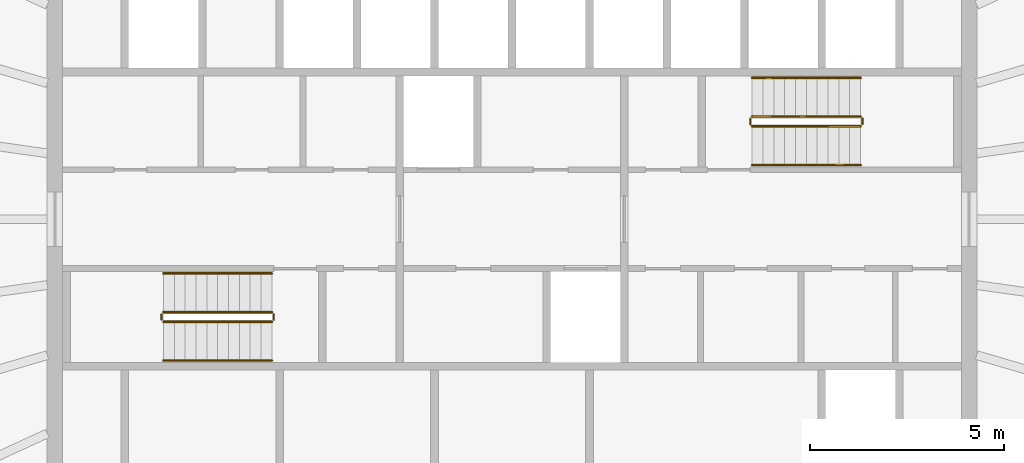
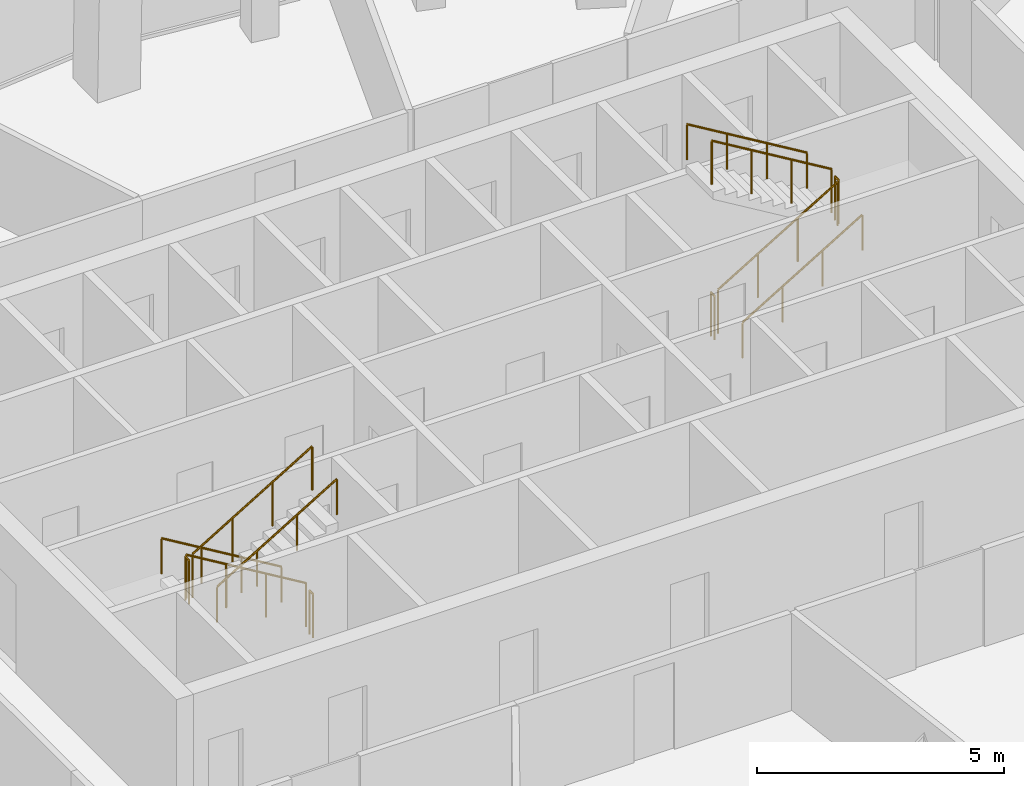
# One storey, part 12 of 12: 12 railings.
"""IFC4 building model written with IfcOpenShell, lengths in metres."""

from ifc_helpers import new_model, si_unit, direction, frame, origin, origin_2d, place, context, subcontext, project, spatial, circle, extrude, material, type_object, element, save


model = new_model("IFC4")

# Units and contexts
model_context = context("Model", 3, precision=1e-05, world=origin(), true_north=direction((0.0, 1.0)))
body_context = subcontext(model_context, "Body", "Model", "MODEL_VIEW")
ifc_project = project(units=[si_unit("LENGTHUNIT", "METRE"), si_unit("AREAUNIT", "SQUARE_METRE"), si_unit("VOLUMEUNIT", "CUBIC_METRE"), si_unit("PLANEANGLEUNIT", "RADIAN"), si_unit("MASSUNIT", "GRAM", prefix="KILO")], contexts=[model_context])

# Site, building, storey
site_placement = place(None, origin())
site = spatial("IfcSite", under=ifc_project, at=site_placement, CompositionType="ELEMENT")
building_placement = place(site_placement, origin())
building = spatial("IfcBuilding", under=site, at=building_placement, Name="Siaravel Broadcast Tower", CompositionType="ELEMENT")
storey_placement = place(building_placement, frame((0.0, 0.0, 235.60009765625)))
storey = spatial("IfcBuildingStorey", under=building, at=storey_placement, Name="L57", CompositionType="ELEMENT", Elevation=235.60009765625)

# Railings
ifc_material = material(Name="Stainless steel 316L", Category="steel")
railing_type_1 = type_object("IfcRailingType", Name="Stair guard 1100", PredefinedType="GUARDRAIL", material=ifc_material)
railing_1_placement = place(storey_placement, frame((-6.199951171875, -2.39990234375, 0.16796875)))
element("IfcRailing", 1, at=railing_1_placement, inside=storey, type_object=railing_type_1, Name="L57 ST-1 stair guard 1", PredefinedType="GUARDRAIL", context=body_context, shape_type="SweptSolid", body=[
    extrude(circle(Radius=0.02392578125, at=origin_2d()), frame((0.0, 0.0, 1.076171875), z_axis=(-0.857242211, 0.0, 0.514913383), x_axis=(0.0, -1.0, 0.0)), (0.0, 0.0, 1.0), 3.266357421875),
    extrude(circle(Radius=0.02099609375, at=origin_2d()), origin(), (0.0, 0.0, 1.0), 1.052001953125),
    extrude(circle(Radius=0.02099609375, at=origin_2d()), frame((-0.933349609375, 0.0, 0.560546875)), (0.0, 0.0, 1.0), 1.052001953125),
    extrude(circle(Radius=0.02099609375, at=origin_2d()), frame((-1.86669921875, 0.0, 1.121337890625)), (0.0, 0.0, 1.0), 1.052001953125),
    extrude(circle(Radius=0.02099609375, at=origin_2d()), frame((-2.800048828125, 0.0, 1.681884765625)), (0.0, 0.0, 1.0), 1.052001953125),
])
railing_2_placement = place(storey_placement, frame((-9.050048828125, -2.449951171875, 1.849853515625)))
element("IfcRailing", 2, at=railing_2_placement, inside=storey, type_object=railing_type_1, Name="L57 ST-1 stair guard 2", PredefinedType="GUARDRAIL", context=body_context, shape_type="SweptSolid", body=[
    extrude(circle(Radius=0.02392578125, at=origin_2d()), frame((0.0, 0.0, 1.076171875), z_axis=(0.0, -1.0, 0.0), x_axis=(1.0, 0.0, 0.0)), (0.0, 0.0, 1.0), 0.150146484375),
    extrude(circle(Radius=0.02099609375, at=origin_2d()), origin(), (0.0, 0.0, 1.0), 1.052001953125),
    extrude(circle(Radius=0.02099609375, at=origin_2d()), frame((0.0, -0.150146484375, 0.0)), (0.0, 0.0, 1.0), 1.052001953125),
])
railing_3_placement = place(storey_placement, frame((-9.0, -2.64990234375, 2.01806640625)))
element("IfcRailing", 3, at=railing_3_placement, inside=storey, type_object=railing_type_1, Name="L57 ST-1 stair guard 3", PredefinedType="GUARDRAIL", context=body_context, shape_type="SweptSolid", body=[
    extrude(circle(Radius=0.02392578125, at=origin_2d()), frame((0.0, 0.0, 1.076171875), z_axis=(0.857242211, 0.0, 0.514913383), x_axis=(0.0, 1.0, 0.0)), (0.0, 0.0, 1.0), 3.266357421875),
    extrude(circle(Radius=0.02099609375, at=origin_2d()), origin(), (0.0, 0.0, 1.0), 1.052001953125),
    extrude(circle(Radius=0.02099609375, at=origin_2d()), frame((0.933349609375, 0.0, 0.560546875)), (0.0, 0.0, 1.0), 1.052001953125),
    extrude(circle(Radius=0.02099609375, at=origin_2d()), frame((1.86669921875, 0.0, 1.121337890625)), (0.0, 0.0, 1.0), 1.052001953125),
    extrude(circle(Radius=0.02099609375, at=origin_2d()), frame((2.800048828125, 0.0, 1.681884765625)), (0.0, 0.0, 1.0), 1.052001953125),
])
railing_4_placement = place(storey_placement, frame((-6.14990234375, -2.449951171875, 0.0)))
element("IfcRailing", 4, at=railing_4_placement, inside=storey, type_object=railing_type_1, Name="L57 ST-1 stair guard 4", PredefinedType="GUARDRAIL", context=body_context, shape_type="SweptSolid", body=[
    extrude(circle(Radius=0.02392578125, at=origin_2d()), frame((0.0, 0.0, 1.076171875), z_axis=(0.0, -1.0, 0.0), x_axis=(1.0, 0.0, 0.0)), (0.0, 0.0, 1.0), 0.150146484375),
    extrude(circle(Radius=0.02099609375, at=origin_2d()), origin(), (0.0, 0.0, 1.0), 1.052001953125),
    extrude(circle(Radius=0.02099609375, at=origin_2d()), frame((0.0, -0.150146484375, 0.0)), (0.0, 0.0, 1.0), 1.052001953125),
])
railing_5_placement = place(storey_placement, frame((6.199951171875, 2.39990234375, 0.16796875)))
element("IfcRailing", 5, at=railing_5_placement, inside=storey, type_object=railing_type_1, Name="L57 ST-2 stair guard 1", PredefinedType="GUARDRAIL", context=body_context, shape_type="SweptSolid", body=[
    extrude(circle(Radius=0.02392578125, at=origin_2d()), frame((0.0, 0.0, 1.076171875), z_axis=(0.857242211, 0.0, 0.514913383), x_axis=(0.0, 1.0, 0.0)), (0.0, 0.0, 1.0), 3.266357421875),
    extrude(circle(Radius=0.02099609375, at=origin_2d()), origin(), (0.0, 0.0, 1.0), 1.052001953125),
    extrude(circle(Radius=0.02099609375, at=origin_2d()), frame((0.933349609375, 0.0, 0.560546875)), (0.0, 0.0, 1.0), 1.052001953125),
    extrude(circle(Radius=0.02099609375, at=origin_2d()), frame((1.86669921875, 0.0, 1.121337890625)), (0.0, 0.0, 1.0), 1.052001953125),
    extrude(circle(Radius=0.02099609375, at=origin_2d()), frame((2.800048828125, 0.0, 1.681884765625)), (0.0, 0.0, 1.0), 1.052001953125),
])
railing_6_placement = place(storey_placement, frame((9.050048828125, 2.449951171875, 1.849853515625)))
element("IfcRailing", 6, at=railing_6_placement, inside=storey, type_object=railing_type_1, Name="L57 ST-2 stair guard 2", PredefinedType="GUARDRAIL", context=body_context, shape_type="SweptSolid", body=[
    extrude(circle(Radius=0.02392578125, at=origin_2d()), frame((0.0, 0.0, 1.076171875), z_axis=(0.0, 1.0, 0.0), x_axis=(-1.0, 0.0, 0.0)), (0.0, 0.0, 1.0), 0.150146484375),
    extrude(circle(Radius=0.02099609375, at=origin_2d()), origin(), (0.0, 0.0, 1.0), 1.052001953125),
    extrude(circle(Radius=0.02099609375, at=origin_2d()), frame((0.0, 0.150146484375, 0.0)), (0.0, 0.0, 1.0), 1.052001953125),
])
railing_7_placement = place(storey_placement, frame((9.0, 2.64990234375, 2.01806640625)))
element("IfcRailing", 7, at=railing_7_placement, inside=storey, type_object=railing_type_1, Name="L57 ST-2 stair guard 3", PredefinedType="GUARDRAIL", context=body_context, shape_type="SweptSolid", body=[
    extrude(circle(Radius=0.02392578125, at=origin_2d()), frame((0.0, 0.0, 1.076171875), z_axis=(-0.857242211, 0.0, 0.514913383), x_axis=(0.0, -1.0, 0.0)), (0.0, 0.0, 1.0), 3.266357421875),
    extrude(circle(Radius=0.02099609375, at=origin_2d()), origin(), (0.0, 0.0, 1.0), 1.052001953125),
    extrude(circle(Radius=0.02099609375, at=origin_2d()), frame((-0.933349609375, 0.0, 0.560546875)), (0.0, 0.0, 1.0), 1.052001953125),
    extrude(circle(Radius=0.02099609375, at=origin_2d()), frame((-1.86669921875, 0.0, 1.121337890625)), (0.0, 0.0, 1.0), 1.052001953125),
    extrude(circle(Radius=0.02099609375, at=origin_2d()), frame((-2.800048828125, 0.0, 1.681884765625)), (0.0, 0.0, 1.0), 1.052001953125),
])
railing_8_placement = place(storey_placement, frame((6.14990234375, 2.449951171875, 0.0)))
element("IfcRailing", 8, at=railing_8_placement, inside=storey, type_object=railing_type_1, Name="L57 ST-2 stair guard 4", PredefinedType="GUARDRAIL", context=body_context, shape_type="SweptSolid", body=[
    extrude(circle(Radius=0.02392578125, at=origin_2d()), frame((0.0, 0.0, 1.076171875), z_axis=(0.0, 1.0, 0.0), x_axis=(-1.0, 0.0, 0.0)), (0.0, 0.0, 1.0), 0.150146484375),
    extrude(circle(Radius=0.02099609375, at=origin_2d()), origin(), (0.0, 0.0, 1.0), 1.052001953125),
    extrude(circle(Radius=0.02099609375, at=origin_2d()), frame((0.0, 0.150146484375, 0.0)), (0.0, 0.0, 1.0), 1.052001953125),
])
railing_type_2 = type_object("IfcRailingType", Name="Stair handrail 900", PredefinedType="HANDRAIL", material=ifc_material)
railing_9_placement = place(storey_placement, frame((-6.199951171875, -1.39990234375, 0.16796875)))
element("IfcRailing", 9, at=railing_9_placement, inside=storey, type_object=railing_type_2, Name="L57 ST-1 stair handrail 1", PredefinedType="HANDRAIL", context=body_context, shape_type="SweptSolid", body=[
    extrude(circle(Radius=0.02392578125, at=origin_2d()), frame((0.0, 0.0, 0.8759765625), z_axis=(-0.857242211, 0.0, 0.514913383), x_axis=(0.0, -1.0, 0.0)), (0.0, 0.0, 1.0), 3.266357421875),
    extrude(circle(Radius=0.02099609375, at=origin_2d()), origin(), (0.0, 0.0, 1.0), 0.851806640625),
    extrude(circle(Radius=0.02099609375, at=origin_2d()), frame((-0.933349609375, 0.0, 0.560546875)), (0.0, 0.0, 1.0), 0.851806640625),
    extrude(circle(Radius=0.02099609375, at=origin_2d()), frame((-1.86669921875, 0.0, 1.121337890625)), (0.0, 0.0, 1.0), 0.851806640625),
    extrude(circle(Radius=0.02099609375, at=origin_2d()), frame((-2.800048828125, 0.0, 1.681884765625)), (0.0, 0.0, 1.0), 0.851806640625),
])
for number, where, name in (
    (10, (-9.0, -3.64990234375, 2.01806640625), "L57 ST-1 stair handrail 2"),
    (11, (6.199951171875, 1.39990234375, 0.16796875), "L57 ST-2 stair handrail 1"),
):
    element("IfcRailing", number, at=place(storey_placement, frame(where)), inside=storey, type_object=railing_type_2, Name=name, PredefinedType="HANDRAIL", context=body_context, shape_type="SweptSolid", body=[
        extrude(circle(Radius=0.02392578125, at=origin_2d()), frame((0.0, 0.0, 0.8759765625), z_axis=(0.857242211, 0.0, 0.514913383), x_axis=(0.0, 1.0, 0.0)), (0.0, 0.0, 1.0), 3.266357421875),
        extrude(circle(Radius=0.02099609375, at=origin_2d()), origin(), (0.0, 0.0, 1.0), 0.851806640625),
        extrude(circle(Radius=0.02099609375, at=origin_2d()), frame((0.933349609375, 0.0, 0.560546875)), (0.0, 0.0, 1.0), 0.851806640625),
        extrude(circle(Radius=0.02099609375, at=origin_2d()), frame((1.86669921875, 0.0, 1.121337890625)), (0.0, 0.0, 1.0), 0.851806640625),
        extrude(circle(Radius=0.02099609375, at=origin_2d()), frame((2.800048828125, 0.0, 1.681884765625)), (0.0, 0.0, 1.0), 0.851806640625),
    ])
railing_10_placement = place(storey_placement, frame((9.0, 3.64990234375, 2.01806640625)))
element("IfcRailing", 12, at=railing_10_placement, inside=storey, type_object=railing_type_2, Name="L57 ST-2 stair handrail 2", PredefinedType="HANDRAIL", context=body_context, shape_type="SweptSolid", body=[
    extrude(circle(Radius=0.02392578125, at=origin_2d()), frame((0.0, 0.0, 0.8759765625), z_axis=(-0.857242211, 0.0, 0.514913383), x_axis=(0.0, -1.0, 0.0)), (0.0, 0.0, 1.0), 3.266357421875),
    extrude(circle(Radius=0.02099609375, at=origin_2d()), origin(), (0.0, 0.0, 1.0), 0.851806640625),
    extrude(circle(Radius=0.02099609375, at=origin_2d()), frame((-0.933349609375, 0.0, 0.560546875)), (0.0, 0.0, 1.0), 0.851806640625),
    extrude(circle(Radius=0.02099609375, at=origin_2d()), frame((-1.86669921875, 0.0, 1.121337890625)), (0.0, 0.0, 1.0), 0.851806640625),
    extrude(circle(Radius=0.02099609375, at=origin_2d()), frame((-2.800048828125, 0.0, 1.681884765625)), (0.0, 0.0, 1.0), 0.851806640625),
])

save(model, "model.ifc")
